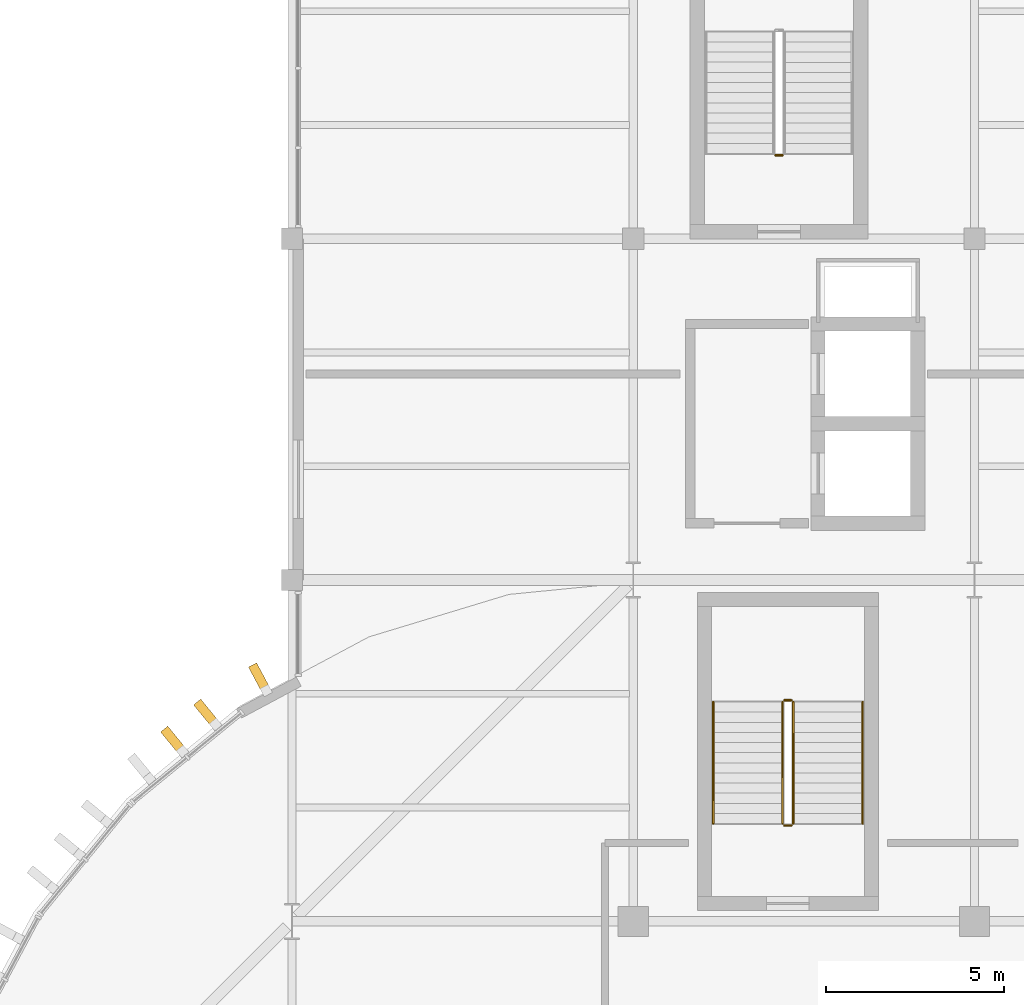
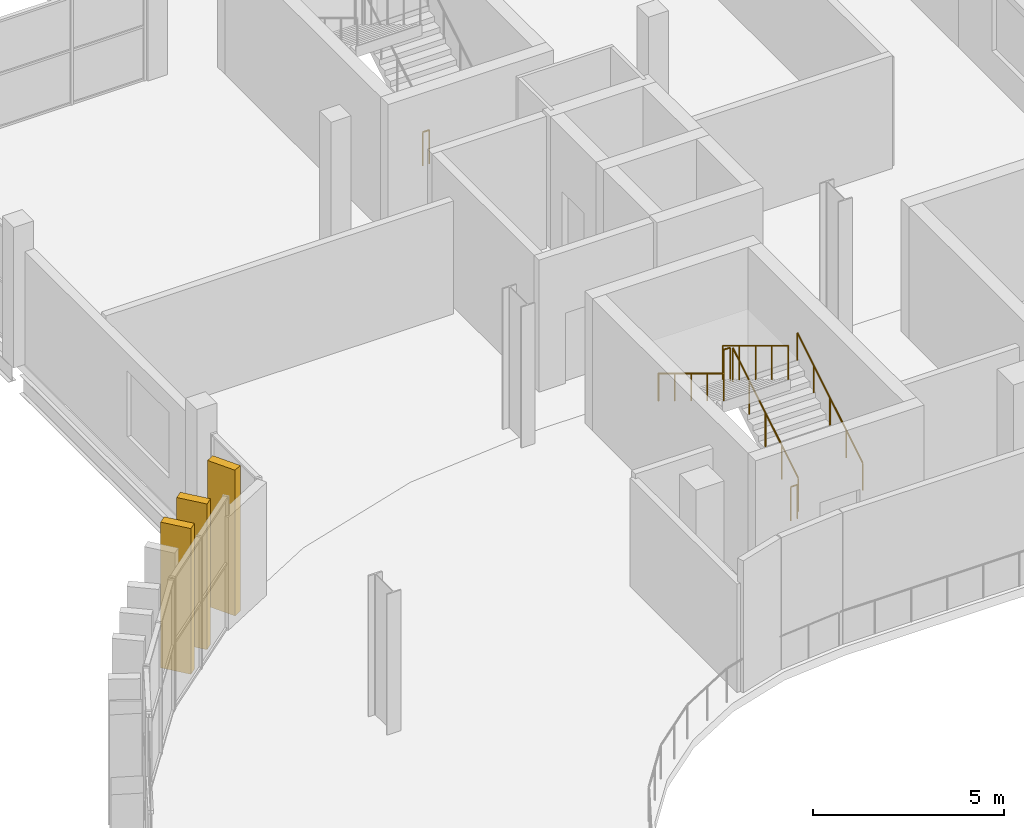
# One storey, part 81 of 92: 7 railings, 3 coverings.
"""IFC4 building model written with IfcOpenShell, lengths in metres."""

from ifc_helpers import new_model, si_unit, direction, frame, origin, origin_2d, place, context, subcontext, project, spatial, rectangle, circle, extrude, material, material_profile, profile_set, type_object, element, save


model = new_model("IFC4")

# Units and contexts
model_context = context("Model", 3, precision=1e-05, world=origin(), true_north=direction((0.0, 1.0)))
body_context = subcontext(model_context, "Body", "Model", "MODEL_VIEW")
ifc_project = project(units=[si_unit("LENGTHUNIT", "METRE"), si_unit("AREAUNIT", "SQUARE_METRE"), si_unit("VOLUMEUNIT", "CUBIC_METRE"), si_unit("PLANEANGLEUNIT", "RADIAN"), si_unit("MASSUNIT", "GRAM", prefix="KILO")], contexts=[model_context])

# Site, building, storey
site_placement = place(None, origin())
site = spatial("IfcSite", under=ifc_project, at=site_placement, CompositionType="ELEMENT")
building_placement = place(site_placement, origin())
building = spatial("IfcBuilding", under=site, at=building_placement, Name="Caelomonte Colonnade Arena", CompositionType="ELEMENT")
storey_placement = place(building_placement, frame((0.0, 0.0, 9.60009765625)))
storey = spatial("IfcBuildingStorey", under=building, at=storey_placement, Name="L02", CompositionType="ELEMENT", Elevation=9.60009765625)

# Coverings
ifc_material_1 = material(Name="Precast travertine cladding", Category="masonry")
ifc_material_profile = material_profile(ifc_material_1, rectangle(XDim=0.260009765625, YDim=0.85009765625, at=origin_2d()), Name="FIN260X850")
ifc_profile_set = profile_set([ifc_material_profile], Name="Precast travertine cladding")
covering_type = type_object("IfcCoveringType", Name="ENV-FN-SHAFT", PredefinedType="CLADDING", material=ifc_profile_set)
for number, where, z_axis, x_axis, name in (
    (1, (66.29150390625, 112.436767578125, -0.16015625), (0.0, 0.0, 1.0), (0.881921264348, 0.471396736826, 0.0), "V1 L02 classical travertine vertical fin 155"),
    (2, (64.802490234375, 111.44189453125, -0.16015625), (0.0, 0.0, 1.0), (0.77299384472, 0.634413521313, 0.0), "V1 L02 classical travertine vertical fin 156"),
    (3, (63.874755859375, 110.680419921875, -0.16015625), (0.0, 0.0, 1.0), (0.77299384472, 0.634413521313, 0.0), "V1 L02 classical travertine vertical fin 157"),
):
    element("IfcCovering", number, at=place(storey_placement, frame(where, z_axis=z_axis, x_axis=x_axis)), inside=storey, type_object=covering_type, Name=name, PredefinedType="CLADDING", context=body_context, shape_type="SweptSolid", body=[
        extrude(rectangle(XDim=0.260009765625, YDim=0.85009765625, at=origin_2d()), origin(), (0.0, 0.0, 1.0), 4.66015625),
    ])

# Railings
ifc_material_2 = material(Name="Painted galvanized steel stair guard", Category="steel")
railing_type_1 = type_object("IfcRailingType", Name="INT-RL-GRD", PredefinedType="GUARDRAIL", material=ifc_material_2)
railing_1_placement = place(storey_placement, frame((81.0, 127.14990234375, 0.0)))
element("IfcRailing", 4, at=railing_1_placement, inside=storey, type_object=railing_type_1, Name="L02 ST-07 stair guard 4", PredefinedType="GUARDRAIL", context=body_context, shape_type="SweptSolid", body=[
    extrude(circle(Radius=0.02392578125, at=origin_2d()), frame((0.0, 0.0, 1.076171875), z_axis=(-1.0, 0.0, 0.0), x_axis=(0.0, -1.0, 0.0)), (0.0, 0.0, 1.0), 0.199951171875),
    extrude(circle(Radius=0.02099609375, at=origin_2d()), origin(), (0.0, 0.0, 1.0), 1.048095703125),
    extrude(circle(Radius=0.02099609375, at=origin_2d()), frame((-0.199951171875, 0.0, 0.0)), (0.0, 0.0, 1.0), 1.048095703125),
])
railing_2_placement = place(storey_placement, frame((81.300048828125, 108.35009765625, 0.173095703125)))
element("IfcRailing", 5, at=railing_2_placement, inside=storey, type_object=railing_type_1, Name="L02 ST-14 stair guard 1", PredefinedType="GUARDRAIL", context=body_context, shape_type="SweptSolid", body=[
    extrude(circle(Radius=0.02392578125, at=origin_2d()), frame((0.0, 0.0, 1.076171875), z_axis=(0.0, 0.854729506542, 0.519073665916), x_axis=(-1.0, 0.0, 0.0)), (0.0, 0.0, 1.0), 4.001220703125),
    extrude(circle(Radius=0.02099609375, at=origin_2d()), origin(), (0.0, 0.0, 1.0), 1.048095703125),
    extrude(circle(Radius=0.02099609375, at=origin_2d()), frame((0.0, 0.85498046875, 0.519287109375)), (0.0, 0.0, 1.0), 1.048095703125),
    extrude(circle(Radius=0.02099609375, at=origin_2d()), frame((0.0, 1.7099609375, 1.03857421875)), (0.0, 0.0, 1.0), 1.048095703125),
    extrude(circle(Radius=0.02099609375, at=origin_2d()), frame((0.0, 2.56494140625, 1.5576171875)), (0.0, 0.0, 1.0), 1.048095703125),
    extrude(circle(Radius=0.02099609375, at=origin_2d()), frame((0.0, 3.419921875, 2.076904296875)), (0.0, 0.0, 1.0), 1.048095703125),
])
railing_3_placement = place(storey_placement, frame((81.25, 111.820068359375, 2.25)))
element("IfcRailing", 6, at=railing_3_placement, inside=storey, type_object=railing_type_1, Name="L02 ST-14 stair guard 2", PredefinedType="GUARDRAIL", context=body_context, shape_type="SweptSolid", body=[
    extrude(circle(Radius=0.02392578125, at=origin_2d()), frame((0.0, 0.0, 1.076171875), z_axis=(-1.0, 0.0, 0.0), x_axis=(0.0, -1.0, 0.0)), (0.0, 0.0, 1.0), 0.199951171875),
    extrude(circle(Radius=0.02099609375, at=origin_2d()), origin(), (0.0, 0.0, 1.0), 1.048095703125),
    extrude(circle(Radius=0.02099609375, at=origin_2d()), frame((-0.199951171875, 0.0, 0.0)), (0.0, 0.0, 1.0), 1.048095703125),
])
railing_4_placement = place(storey_placement, frame((81.0, 111.77001953125, 2.423095703125)))
element("IfcRailing", 7, at=railing_4_placement, inside=storey, type_object=railing_type_1, Name="L02 ST-14 stair guard 3", PredefinedType="GUARDRAIL", context=body_context, shape_type="SweptSolid", body=[
    extrude(circle(Radius=0.02392578125, at=origin_2d()), frame((0.0, 0.0, 1.076171875), z_axis=(0.0, -0.854729506542, 0.519073665916), x_axis=(1.0, 0.0, 0.0)), (0.0, 0.0, 1.0), 4.001220703125),
    extrude(circle(Radius=0.02099609375, at=origin_2d()), origin(), (0.0, 0.0, 1.0), 1.048095703125),
    extrude(circle(Radius=0.02099609375, at=origin_2d()), frame((0.0, -0.85498046875, 0.519287109375)), (0.0, 0.0, 1.0), 1.048095703125),
    extrude(circle(Radius=0.02099609375, at=origin_2d()), frame((0.0, -1.7099609375, 1.03857421875)), (0.0, 0.0, 1.0), 1.048095703125),
    extrude(circle(Radius=0.02099609375, at=origin_2d()), frame((0.0, -2.56494140625, 1.5576171875)), (0.0, 0.0, 1.0), 1.048095703125),
    extrude(circle(Radius=0.02099609375, at=origin_2d()), frame((0.0, -3.419921875, 2.076904296875)), (0.0, 0.0, 1.0), 1.048095703125),
])
railing_5_placement = place(storey_placement, frame((81.25, 108.300048828125, 0.0)))
element("IfcRailing", 8, at=railing_5_placement, inside=storey, type_object=railing_type_1, Name="L02 ST-14 stair guard 4", PredefinedType="GUARDRAIL", context=body_context, shape_type="SweptSolid", body=[
    extrude(circle(Radius=0.02392578125, at=origin_2d()), frame((0.0, 0.0, 1.076171875), z_axis=(-1.0, 0.0, 0.0), x_axis=(0.0, -1.0, 0.0)), (0.0, 0.0, 1.0), 0.199951171875),
    extrude(circle(Radius=0.02099609375, at=origin_2d()), origin(), (0.0, 0.0, 1.0), 1.048095703125),
    extrude(circle(Radius=0.02099609375, at=origin_2d()), frame((-0.199951171875, 0.0, 0.0)), (0.0, 0.0, 1.0), 1.048095703125),
])
ifc_material_3 = material(Name="Brushed stainless steel stair handrail", Category="steel")
railing_type_2 = type_object("IfcRailingType", Name="INT-RL-HR", PredefinedType="HANDRAIL", material=ifc_material_3)
railing_6_placement = place(storey_placement, frame((83.25, 108.35009765625, 0.173095703125)))
element("IfcRailing", 9, at=railing_6_placement, inside=storey, type_object=railing_type_2, Name="L02 ST-14 stair handrail 1", PredefinedType="HANDRAIL", context=body_context, shape_type="SweptSolid", body=[
    extrude(circle(Radius=0.02392578125, at=origin_2d()), frame((0.0, 0.0, 0.8759765625), z_axis=(0.0, 0.854729506542, 0.519073665916), x_axis=(-1.0, 0.0, 0.0)), (0.0, 0.0, 1.0), 4.001220703125),
    extrude(circle(Radius=0.02099609375, at=origin_2d()), origin(), (0.0, 0.0, 1.0), 0.847900390625),
    extrude(circle(Radius=0.02099609375, at=origin_2d()), frame((0.0, 0.85498046875, 0.519287109375)), (0.0, 0.0, 1.0), 0.847900390625),
    extrude(circle(Radius=0.02099609375, at=origin_2d()), frame((0.0, 1.7099609375, 1.03857421875)), (0.0, 0.0, 1.0), 0.847900390625),
    extrude(circle(Radius=0.02099609375, at=origin_2d()), frame((0.0, 2.56494140625, 1.5576171875)), (0.0, 0.0, 1.0), 0.847900390625),
    extrude(circle(Radius=0.02099609375, at=origin_2d()), frame((0.0, 3.419921875, 2.076904296875)), (0.0, 0.0, 1.0), 0.847900390625),
])
railing_7_placement = place(storey_placement, frame((79.050048828125, 111.77001953125, 2.423095703125)))
element("IfcRailing", 10, at=railing_7_placement, inside=storey, type_object=railing_type_2, Name="L02 ST-14 stair handrail 2", PredefinedType="HANDRAIL", context=body_context, shape_type="SweptSolid", body=[
    extrude(circle(Radius=0.02392578125, at=origin_2d()), frame((0.0, 0.0, 0.8759765625), z_axis=(0.0, -0.854729506542, 0.519073665916), x_axis=(1.0, 0.0, 0.0)), (0.0, 0.0, 1.0), 4.001220703125),
    extrude(circle(Radius=0.02099609375, at=origin_2d()), origin(), (0.0, 0.0, 1.0), 0.847900390625),
    extrude(circle(Radius=0.02099609375, at=origin_2d()), frame((0.0, -0.85498046875, 0.519287109375)), (0.0, 0.0, 1.0), 0.847900390625),
    extrude(circle(Radius=0.02099609375, at=origin_2d()), frame((0.0, -1.7099609375, 1.03857421875)), (0.0, 0.0, 1.0), 0.847900390625),
    extrude(circle(Radius=0.02099609375, at=origin_2d()), frame((0.0, -2.56494140625, 1.5576171875)), (0.0, 0.0, 1.0), 0.847900390625),
    extrude(circle(Radius=0.02099609375, at=origin_2d()), frame((0.0, -3.419921875, 2.076904296875)), (0.0, 0.0, 1.0), 0.847900390625),
])

save(model, "model.ifc")
